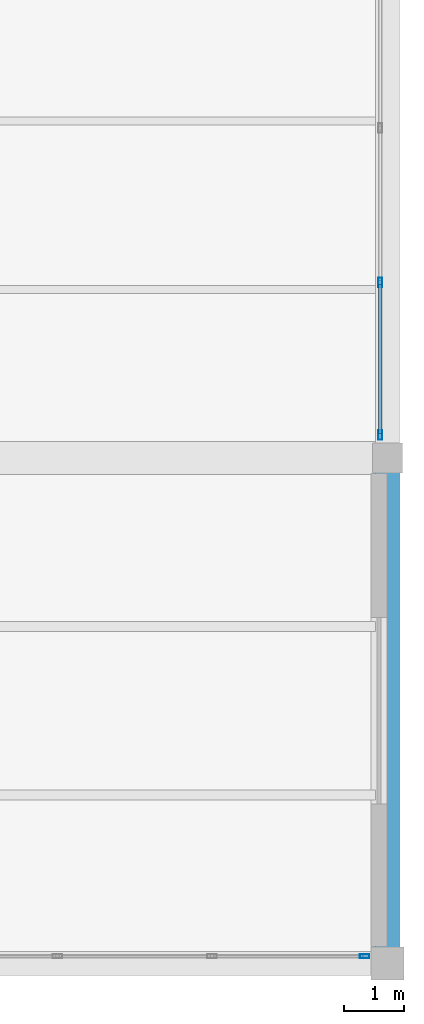
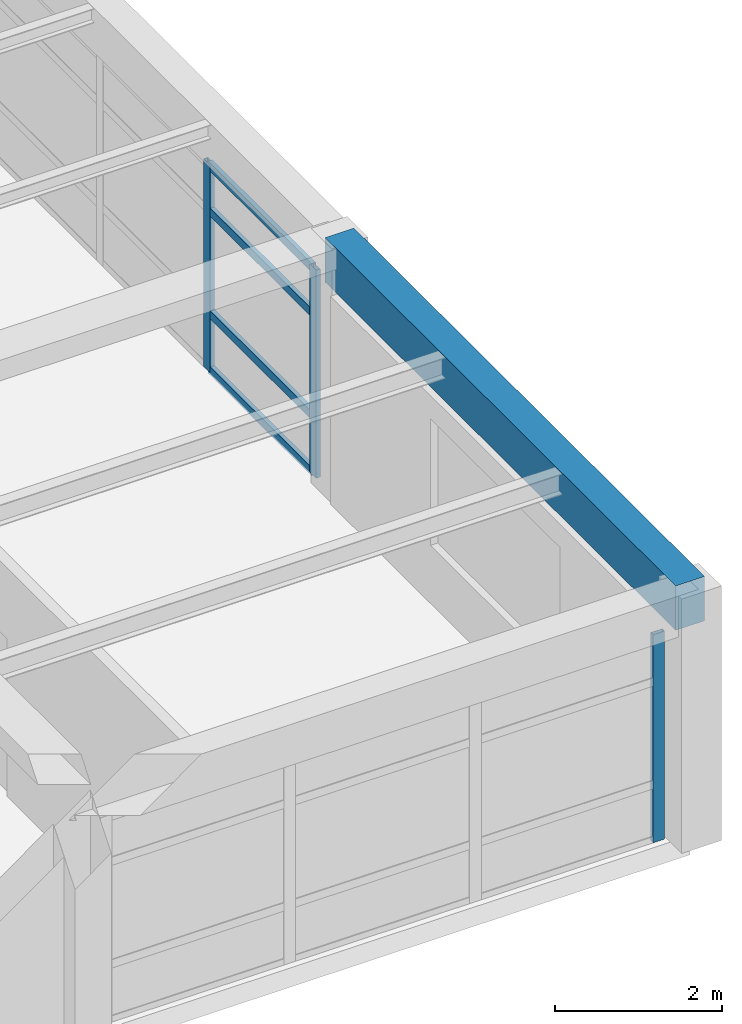
# One storey, part 15 of 20: 7 members, 1 beam, 2 elements without a shape of their own.
"""IFC4 building model written with IfcOpenShell, lengths in metres."""

import ifcopenshell
import ifcopenshell.guid

model = None  # the IFC model being written
_history = None  # IfcOwnerHistory: only IFC2X3 demands one
_inside = {}  # id of a spatial element -> (the spatial element, [elements in it])
_under = {}  # id of a project, library or spatial element -> (it, [spatial elements below it])
_declared = {}  # id of a project -> (the project, [libraries it declares])
_typed = {}  # id of a type object -> (the type object, [elements of that type])
_made_of = {}  # id of a material, layer set ... -> (it, [elements and type objects made of it])


def new_model(schema):
    """Start an empty IFC model of exactly this schema.

    Asked for "IFC4X3", IfcOpenShell would pick the latest addendum, in which some entities
    have other attributes; the version numbers below select the first issue.
    IFC2X3 requires an IfcOwnerHistory on every rooted entity: one is made here for all.
    """
    global model, _history
    if schema == "IFC4X3":
        model = ifcopenshell.file(schema_version=(4, 3, 0, 0))
    else:
        model = ifcopenshell.file(schema=schema)
    _inside.clear()
    _under.clear()
    _declared.clear()
    _typed.clear()
    _made_of.clear()
    _history = None
    if model.schema == "IFC2X3":
        org = make("IfcOrganization", Name="unknown")
        user = make(
            "IfcPersonAndOrganization",
            ThePerson=make("IfcPerson", FamilyName="unknown"),
            TheOrganization=org,
        )
        app = make(
            "IfcApplication",
            ApplicationDeveloper=org,
            Version="unknown",
            ApplicationFullName="unknown",
            ApplicationIdentifier="unknown",
        )
        _history = make(
            "IfcOwnerHistory",
            OwningUser=user,
            OwningApplication=app,
            ChangeAction="ADDED",
            CreationDate=0,
        )
    return model


def make(cls, **values):
    """One entity of the class cls with the attributes given. An attribute that is None is left unset."""
    return model.create_entity(
        cls, **{name: value for name, value in values.items() if value is not None}
    )


def rooted(cls, **values):
    """An entity with a GlobalId (a new one), such as an element, a storey or a relation."""
    return make(cls, GlobalId=ifcopenshell.guid.new(), OwnerHistory=_history, **values)


def si_unit(unit_type, name, prefix=None):
    """IfcSIUnit, for example si_unit("LENGTHUNIT", "METRE", prefix="MILLI")."""
    return make("IfcSIUnit", UnitType=unit_type, Prefix=prefix, Name=name)


def assignment(units):
    """IfcUnitAssignment: the units of a project."""
    return None if units is None else make("IfcUnitAssignment", Units=units)


def point(xyz):
    """IfcCartesianPoint."""
    return None if xyz is None else make("IfcCartesianPoint", Coordinates=xyz)


def direction(xyz):
    """IfcDirection."""
    return None if xyz is None else make("IfcDirection", DirectionRatios=xyz)


def frame(location, z_axis=None, x_axis=None):
    """IfcAxis2Placement3D, a coordinate frame: its origin and axes. An axis left out is left unset."""
    return make(
        "IfcAxis2Placement3D",
        Location=point(location),
        Axis=direction(z_axis),
        RefDirection=direction(x_axis),
    )


def frame_2d(location, x_axis=None):
    """IfcAxis2Placement2D, a coordinate frame in the plane: its origin and x axis."""
    return make(
        "IfcAxis2Placement2D", Location=point(location), RefDirection=direction(x_axis)
    )


def origin():
    """The frame at (0, 0, 0) with its axes left unset."""
    return frame((0.0, 0.0, 0.0))


def origin_2d():
    """The frame at (0, 0) in the plane with its x axis left unset."""
    return frame_2d((0.0, 0.0))


def place(relative_to, where):
    """IfcLocalPlacement: puts the frame where relative to a parent placement (None: the world)."""
    return make(
        "IfcLocalPlacement", PlacementRelTo=relative_to, RelativePlacement=where
    )


def context(
    kind, dimensions, precision=None, world=None, true_north=None, identifier=None
):
    """IfcGeometricRepresentationContext, for example the 3D "Model" context."""
    return make(
        "IfcGeometricRepresentationContext",
        ContextIdentifier=identifier,
        ContextType=kind,
        CoordinateSpaceDimension=dimensions,
        Precision=precision,
        WorldCoordinateSystem=world,
        TrueNorth=true_north,
    )


def subcontext(parent, identifier, kind, view, scale=None):
    """IfcGeometricRepresentationSubContext, for example "Body" below "Model"."""
    return make(
        "IfcGeometricRepresentationSubContext",
        ContextIdentifier=identifier,
        ContextType=kind,
        ParentContext=parent,
        TargetScale=scale,
        TargetView=view,
    )


def project(units=None, contexts=None):
    """IfcProject with its units and contexts."""
    return rooted(
        "IfcProject",
        Name="project",
        RepresentationContexts=contexts,
        UnitsInContext=assignment(units),
    )


def spatial(cls, under=None, at=None, **own):
    """A site, building, storey or space (cls), placed at a placement, below another one or the project."""
    s = rooted(cls, ObjectPlacement=at, **own)
    if under is not None:
        _under.setdefault(under.id(), (under, []))[1].append(s)
    return s


def profile(cls, at=None, kind="AREA", **sizes):
    """A parametric profile (cls). Its sizes go by their IFC names, for example OverallWidth=200.0."""
    return make(cls, ProfileType=kind, Position=at, **sizes)


def rectangle(**sizes):
    """IfcRectangleProfileDef."""
    return profile("IfcRectangleProfileDef", **sizes)


def hollow_rectangle(**sizes):
    """IfcRectangleHollowProfileDef."""
    return profile("IfcRectangleHollowProfileDef", **sizes)


def extrude(swept, where, along, depth):
    """IfcExtrudedAreaSolid: the profile swept, set in the frame where, extruded along a direction by depth."""
    return make(
        "IfcExtrudedAreaSolid",
        SweptArea=swept,
        Position=where,
        ExtrudedDirection=direction(along),
        Depth=depth,
    )


def shape(context_of_items, identifier, shape_type, items):
    """IfcShapeRepresentation: the items that make up one representation, for example the "Body"."""
    return make(
        "IfcShapeRepresentation",
        ContextOfItems=context_of_items,
        RepresentationIdentifier=identifier,
        RepresentationType=shape_type,
        Items=items,
    )


def material(Name=None, Category=None):
    """IfcMaterial."""
    return make("IfcMaterial", Name=Name, Category=Category)


def material_profile(
    of_material, cross_section, Name=None, Category=None, Priority=None
):
    """IfcMaterialProfile: a cross section and its material."""
    return make(
        "IfcMaterialProfile",
        Name=Name,
        Material=of_material,
        Profile=cross_section,
        Priority=Priority,
        Category=Category,
    )


def profile_set(profiles, Name=None, composite=None):
    """IfcMaterialProfileSet."""
    return make(
        "IfcMaterialProfileSet",
        Name=Name,
        MaterialProfiles=profiles,
        CompositeProfile=composite,
    )


def made_of(thing, what):
    """Note that an element or type object is made of a material, layer set ...; save() writes the relation."""
    if what is not None:
        _made_of.setdefault(what.id(), (what, []))[1].append(thing)
    return thing


def type_object(cls, material=None, **own):
    """A type object (cls), such as IfcWallType, which elements share."""
    return made_of(rooted(cls, **own), material)


def element(
    cls,
    number,
    at=None,
    inside=None,
    cuts=None,
    type_object=None,
    material=None,
    context=None,
    identifier="Body",
    shape_type=None,
    held_by="IfcProductDefinitionShape",
    body=None,
    shapes=None,
    **own,
):
    """One element of the class cls, such as IfcWall. Its Tag is "e" and its number.

    at: its placement. inside: the storey or other place that contains it. cuts: it is an
    opening in that element (IfcRelVoidsElement). A single representation is given by context,
    identifier, shape_type and body (its items); several are given by shapes. held_by: the class
    of the entity that holds the representations. save() writes the other relations.
    """
    e = rooted(cls, Tag="e%d" % number, ObjectPlacement=at, **own)
    if body is not None:
        shapes = [shape(context, identifier, shape_type, body)]
    if shapes is not None:
        e.Representation = make(held_by, Representations=shapes)
    if inside is not None:
        _inside.setdefault(inside.id(), (inside, []))[1].append(e)
    if cuts is not None:
        rooted(
            "IfcRelVoidsElement", RelatingBuildingElement=cuts, RelatedOpeningElement=e
        )
    if type_object is not None:
        _typed.setdefault(type_object.id(), (type_object, []))[1].append(e)
    return made_of(e, material)


def aggregate(whole, parts):
    """IfcRelAggregates: a whole, such as a stair, and the parts it consists of."""
    return rooted("IfcRelAggregates", RelatingObject=whole, RelatedObjects=parts)


def save(model, path):
    """Write the relations noted so far, then the file.

    IfcRelAggregates (storeys below a building ...), IfcRelContainedInSpatialStructure (elements
    in a storey), IfcRelDefinesByType, IfcRelAssociatesMaterial and IfcRelDeclares: one each for
    every whole, place, type object, material and project.
    """
    for whole, parts in _under.values():
        aggregate(whole, parts)
    for where, things in _inside.values():
        rooted(
            "IfcRelContainedInSpatialStructure",
            RelatedElements=things,
            RelatingStructure=where,
        )
    for kind, things in _typed.values():
        rooted("IfcRelDefinesByType", RelatedObjects=things, RelatingType=kind)
    for what, things in _made_of.values():
        rooted("IfcRelAssociatesMaterial", RelatedObjects=things, RelatingMaterial=what)
    for by, libraries in _declared.values():
        rooted("IfcRelDeclares", RelatingContext=by, RelatedDefinitions=libraries)
    model.write(path)


model = new_model("IFC4")

# Units and contexts
model_context = context("Model", 3, precision=1e-05, world=origin(), true_north=direction((0.0, 1.0)))
body_context = subcontext(model_context, "Body", "Model", "MODEL_VIEW")
ifc_project = project(units=[si_unit("LENGTHUNIT", "METRE"), si_unit("AREAUNIT", "SQUARE_METRE"), si_unit("VOLUMEUNIT", "CUBIC_METRE"), si_unit("PLANEANGLEUNIT", "RADIAN"), si_unit("MASSUNIT", "GRAM", prefix="KILO")], contexts=[model_context])

# Site, building, storey
site_placement = place(None, origin())
site = spatial("IfcSite", under=ifc_project, at=site_placement, CompositionType="ELEMENT")
building_placement = place(site_placement, origin())
building = spatial("IfcBuilding", under=site, at=building_placement, Name="Almacenes y Pasaje Nevantli", CompositionType="ELEMENT")
storey_placement = place(building_placement, frame((0.0, 0.0, 62.699951171875)))
storey = spatial("IfcBuildingStorey", under=building, at=storey_placement, Name="L15", CompositionType="ELEMENT", Elevation=62.699951171875)

# Beam
ifc_material_1 = material(Name="Concrete C35/45", Category="concrete")
ifc_material_profile_1 = material_profile(ifc_material_1, rectangle(XDim=0.39990234375, YDim=0.64990234375, at=origin_2d()), Name="RC-BM-400x650")
ifc_profile_set_1 = profile_set([ifc_material_profile_1], Name="Concrete C35/45")
beam_type = type_object("IfcBeamType", Name="BM-RC-400x650", PredefinedType="SPANDREL", material=ifc_profile_set_1)
beam_placement = place(storey_placement, frame((151.199951171875, 67.199951171875, 3.39501953125), z_axis=(0.0, 1.0, 0.0), x_axis=(-1.0, 0.0, 0.0)))
element("IfcBeam", 1, at=beam_placement, inside=storey, type_object=beam_type, Name="L15 North-South Reinforced Concrete Beam #4040", PredefinedType="SPANDREL", context=body_context, shape_type="SweptSolid", body=[
    extrude(rectangle(XDim=0.39990234375, YDim=0.64990234375, at=origin_2d()), origin(), (0.0, 0.0, 1.0), 8.400146484375),
])

# Curtain wall, member
ifc_material_2 = material(Name="Thermally Broken Aluminium and Low-E Glass", Category="aluminium")
curtain_wall_type = type_object("IfcCurtainWallType", Name="CW-UNIT-TOWER", PredefinedType="USERDEFINED", material=ifc_material_2)
curtain_wall_1_placement = place(storey_placement, origin())
curtain_wall_1 = element("IfcCurtainWall", 2, at=curtain_wall_1_placement, inside=storey, type_object=curtain_wall_type, Name="L15 Tower South Unitized Curtain Wall Bay 18", ObjectType="UNITIZED CURTAIN WALL", PredefinedType="USERDEFINED")
ifc_material_3 = material(Name="Thermally Broken Anodized Aluminium", Category="aluminium")
ifc_material_profile_2 = material_profile(ifc_material_3, hollow_rectangle(XDim=0.06005859375, YDim=0.159912109375, WallThickness=0.00390625, at=origin_2d()), Name="ALU-MUL-60x160")
ifc_profile_set_2 = profile_set([ifc_material_profile_2], Name="Thermally Broken Anodized Aluminium")
member_type_1 = type_object("IfcMemberType", Name="CW-MUL-180", PredefinedType="MULLION", material=ifc_profile_set_2)
member_1_placement = place(storey_placement, frame((150.820068359375, 67.320068359375, 0.0), z_axis=(0.0, 0.0, 1.0), x_axis=(0.0, 1.0, 0.0)))
member_1 = element("IfcMember", 3, at=member_1_placement, type_object=member_type_1, Name="CW-L15-187 mullion 4", PredefinedType="MULLION", context=body_context, shape_type="SweptSolid", body=[
    extrude(hollow_rectangle(XDim=0.06005859375, YDim=0.159912109375, WallThickness=0.00390625, at=origin_2d()), origin(), (0.0, 0.0, 1.0), 3.0400390625),
])
aggregate(curtain_wall_1, [member_1])

# Curtain wall, members
curtain_wall_2_placement = place(storey_placement, origin())
curtain_wall_2 = element("IfcCurtainWall", 4, at=curtain_wall_2_placement, inside=storey, type_object=curtain_wall_type, Name="L15 Tower East Curtain Wall Bay 10", ObjectType="UNITIZED CURTAIN WALL", PredefinedType="USERDEFINED")
member_2_placement = place(storey_placement, frame((151.080078125, 75.97998046875, 0.0), z_axis=(0.0, 0.0, 1.0), x_axis=(-1.0, 0.0, 0.0)))
member_2 = element("IfcMember", 5, at=member_2_placement, type_object=member_type_1, Name="CW-L15-189 mullion 1", PredefinedType="MULLION", context=body_context, shape_type="SweptSolid", body=[
    extrude(hollow_rectangle(XDim=0.06005859375, YDim=0.159912109375, WallThickness=0.00390625, at=origin_2d()), origin(), (0.0, 0.0, 1.0), 3.0400390625),
])
member_3_placement = place(storey_placement, frame((151.080078125, 78.5166015625, 0.0), z_axis=(0.0, 0.0, 1.0), x_axis=(-1.0, 0.0, 0.0)))
member_3 = element("IfcMember", 6, at=member_3_placement, type_object=member_type_1, Name="CW-L15-189 mullion 2", PredefinedType="MULLION", context=body_context, shape_type="SweptSolid", body=[
    extrude(hollow_rectangle(XDim=0.06005859375, YDim=0.159912109375, WallThickness=0.00390625, at=origin_2d()), origin(), (0.0, 0.0, 1.0), 3.0400390625),
])
ifc_material_4 = material(Name="Thermally Broken Anodized Aluminium", Category="aluminium")
ifc_material_profile_3 = material_profile(ifc_material_4, hollow_rectangle(XDim=0.06005859375, YDim=0.1201171875, WallThickness=0.00341796875, at=origin_2d()), Name="ALU-TRN-60x120")
ifc_profile_set_3 = profile_set([ifc_material_profile_3], Name="Thermally Broken Anodized Aluminium")
member_type_2 = type_object("IfcMemberType", Name="CW-TRN-130", PredefinedType="USERDEFINED", material=ifc_profile_set_3)
member_4_placement = place(storey_placement, frame((151.080078125, 76.010009765625, 0.030029296875), z_axis=(0.0, 1.0, 0.0), x_axis=(-1.0, 0.0, 0.0)))
member_4 = element("IfcMember", 7, at=member_4_placement, type_object=member_type_2, Name="CW-L15-189 transom 1.1", ObjectType="TRANSOM", PredefinedType="USERDEFINED", context=body_context, shape_type="SweptSolid", body=[
    extrude(hollow_rectangle(XDim=0.06005859375, YDim=0.1201171875, WallThickness=0.00341796875, at=origin_2d()), origin(), (0.0, 0.0, 1.0), 2.4765625),
])
member_5_placement = place(storey_placement, frame((151.080078125, 76.010009765625, 0.85009765625), z_axis=(0.0, 1.0, 0.0), x_axis=(-1.0, 0.0, 0.0)))
member_5 = element("IfcMember", 8, at=member_5_placement, type_object=member_type_2, Name="CW-L15-189 transom 1.2", ObjectType="TRANSOM", PredefinedType="USERDEFINED", context=body_context, shape_type="SweptSolid", body=[
    extrude(hollow_rectangle(XDim=0.06005859375, YDim=0.1201171875, WallThickness=0.00341796875, at=origin_2d()), origin(), (0.0, 0.0, 1.0), 2.4765625),
])
member_6_placement = place(storey_placement, frame((151.080078125, 76.010009765625, 2.35009765625), z_axis=(0.0, 1.0, 0.0), x_axis=(-1.0, 0.0, 0.0)))
member_6 = element("IfcMember", 9, at=member_6_placement, type_object=member_type_2, Name="CW-L15-189 transom 1.3", ObjectType="TRANSOM", PredefinedType="USERDEFINED", context=body_context, shape_type="SweptSolid", body=[
    extrude(hollow_rectangle(XDim=0.06005859375, YDim=0.1201171875, WallThickness=0.00341796875, at=origin_2d()), origin(), (0.0, 0.0, 1.0), 2.4765625),
])
member_7_placement = place(storey_placement, frame((151.080078125, 76.010009765625, 3.010009765625), z_axis=(0.0, 1.0, 0.0), x_axis=(-1.0, 0.0, 0.0)))
member_7 = element("IfcMember", 10, at=member_7_placement, type_object=member_type_2, Name="CW-L15-189 transom 1.4", ObjectType="TRANSOM", PredefinedType="USERDEFINED", context=body_context, shape_type="SweptSolid", body=[
    extrude(hollow_rectangle(XDim=0.06005859375, YDim=0.1201171875, WallThickness=0.00341796875, at=origin_2d()), origin(), (0.0, 0.0, 1.0), 2.4765625),
])
aggregate(curtain_wall_2, [member_2, member_3, member_4, member_5, member_6, member_7])

save(model, "model.ifc")
